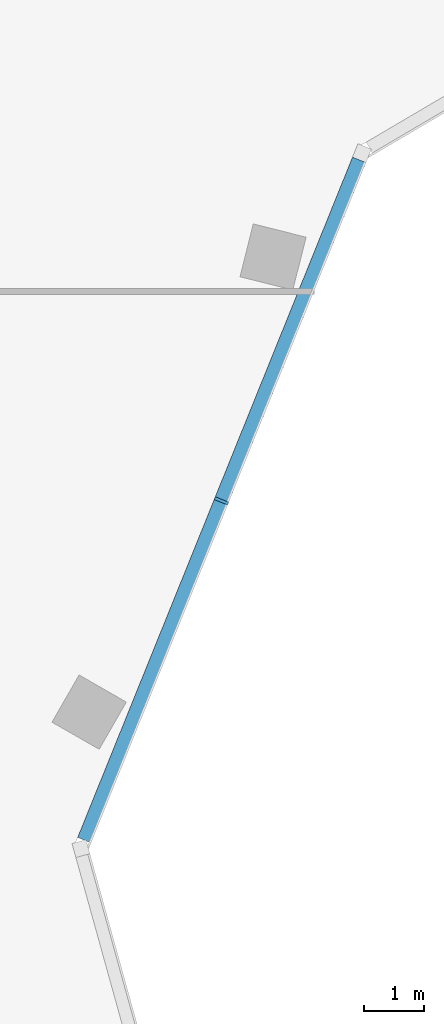
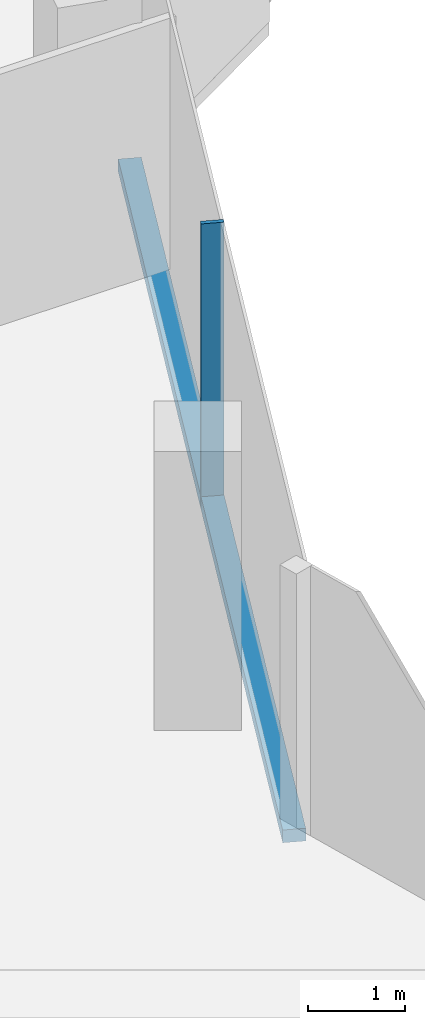
# One storey, part 5 of 17: 2 members, 1 element without a shape of its own.
"""IFC4 building model written with IfcOpenShell, lengths in metres."""

from ifc_helpers import new_model, si_unit, direction, frame, origin, origin_2d, place, context, subcontext, project, spatial, rectangle, extrude, material, material_profile, profile_set, type_object, element, aggregate, save


model = new_model("IFC4")

# Units and contexts
model_context = context("Model", 3, precision=1e-05, world=origin(), true_north=direction((0.0, 1.0)))
body_context = subcontext(model_context, "Body", "Model", "MODEL_VIEW")
ifc_project = project(units=[si_unit("LENGTHUNIT", "METRE"), si_unit("AREAUNIT", "SQUARE_METRE"), si_unit("VOLUMEUNIT", "CUBIC_METRE"), si_unit("PLANEANGLEUNIT", "RADIAN"), si_unit("MASSUNIT", "GRAM", prefix="KILO")], contexts=[model_context])

# Site, building, storey
site_placement = place(None, origin())
site = spatial("IfcSite", under=ifc_project, at=site_placement, CompositionType="ELEMENT")
building_placement = place(site_placement, origin())
building = spatial("IfcBuilding", under=site, at=building_placement, Name="Orlundy Tower", CompositionType="ELEMENT")
storey_placement = place(building_placement, frame((0.0, 0.0, 289.39990234375)))
storey = spatial("IfcBuildingStorey", under=building, at=storey_placement, Name="L77", CompositionType="ELEMENT", Elevation=289.39990234375)

# Curtain wall, members
ifc_material_1 = material(Name="Aluminium bronze anodised", Category="aluminium")
curtain_wall_type = type_object("IfcCurtainWallType", Name="CW6 wall", PredefinedType="NOTDEFINED", material=ifc_material_1)
curtain_wall_placement = place(storey_placement, origin())
curtain_wall = element("IfcCurtainWall", 1, at=curtain_wall_placement, inside=storey, type_object=curtain_wall_type, Name="CW6 run 017", PredefinedType="NOTDEFINED")
ifc_material_2 = material(Name="Aluminium bronze anodised", Category="aluminium")
ifc_material_profile_1 = material_profile(ifc_material_2, rectangle(XDim=0.239990234375, YDim=0.050048828125, at=origin_2d()), Name="CW6 mullion 50x240")
ifc_profile_set_1 = profile_set([ifc_material_profile_1], Name="Aluminium bronze anodised")
member_type_1 = type_object("IfcMemberType", Name="CW6 mullion 50x240", PredefinedType="MULLION", material=ifc_profile_set_1)
member_1_placement = place(storey_placement, frame((27.9267578125, -11.283447265625, -0.39990234375), z_axis=(0.0, 0.0, 1.0), x_axis=(0.927195304229, -0.37457825326, 0.0)))
member_1 = element("IfcMember", 2, at=member_1_placement, type_object=member_type_1, Name="CW6 mullion 37", PredefinedType="MULLION", context=body_context, shape_type="SweptSolid", body=[
    extrude(rectangle(XDim=0.239990234375, YDim=0.050048828125, at=origin_2d()), origin(), (0.0, 0.0, 1.0), 3.580078125),
])
ifc_material_3 = material(Name="Aluminium bronze anodised", Category="aluminium")
ifc_material_profile_2 = material_profile(ifc_material_3, rectangle(XDim=0.239990234375, YDim=0.159912109375, at=origin_2d()), Name="CW6 transom 240x160")
ifc_profile_set_2 = profile_set([ifc_material_profile_2], Name="Aluminium bronze anodised")
member_type_2 = type_object("IfcMemberType", Name="CW6 transom 240x160", PredefinedType="USERDEFINED", material=ifc_profile_set_2)
member_2_placement = place(storey_placement, frame((30.205078125, -5.64404296875, -0.31982421875), z_axis=(-0.374580153856, -0.927194536404, 0.0), x_axis=(0.927194536404, -0.374580153856, 0.0)))
member_2 = element("IfcMember", 3, at=member_2_placement, type_object=member_type_2, Name="CW6 transom", ObjectType="TRANSOM", PredefinedType="USERDEFINED", context=body_context, shape_type="SweptSolid", body=[
    extrude(rectangle(XDim=0.239990234375, YDim=0.159912109375, at=origin_2d()), origin(), (0.0, 0.0, 1.0), 12.13330078125),
])
aggregate(curtain_wall, [member_1, member_2])

save(model, "model.ifc")
